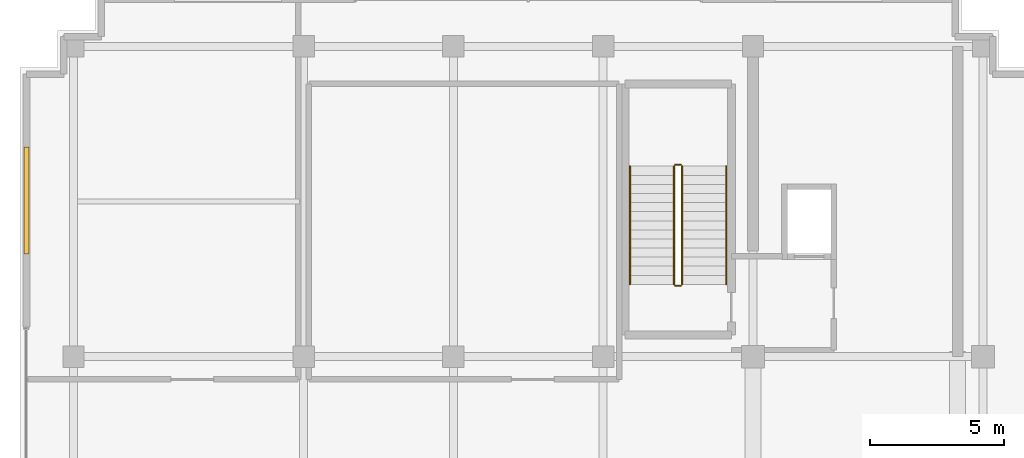
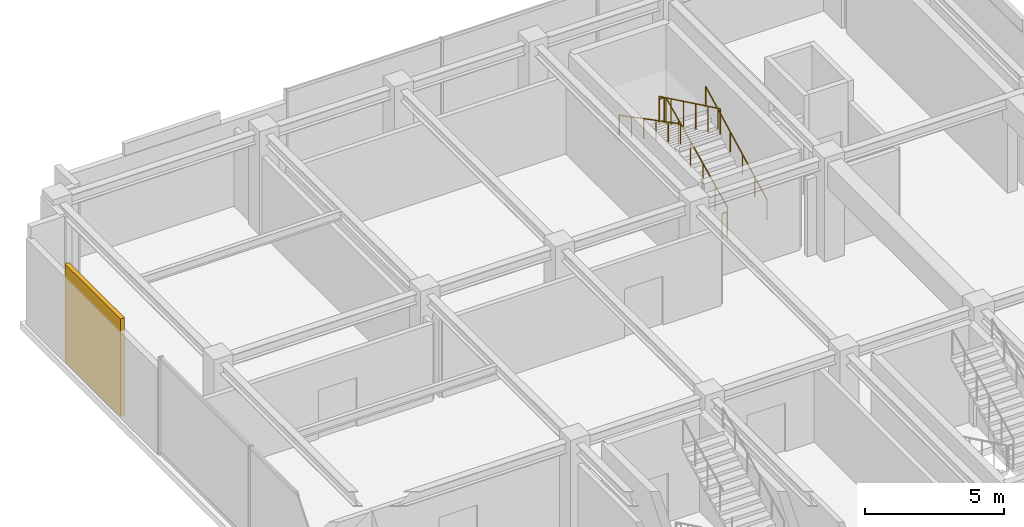
# One storey, part 17 of 18: 6 railings, 1 shading device.
"""IFC4 building model written with IfcOpenShell, lengths in metres."""

from ifc_helpers import new_model, si_unit, direction, frame, origin, origin_2d, place, context, subcontext, project, spatial, rectangle, circle, extrude, source, transform, mapped, material, layer, layer_set, type_object, element, save


model = new_model("IFC4")

# Units and contexts
model_context = context("Model", 3, precision=1e-05, world=origin(), true_north=direction((0.0, 1.0)))
body_context = subcontext(model_context, "Body", "Model", "MODEL_VIEW")
ifc_project = project(units=[si_unit("LENGTHUNIT", "METRE"), si_unit("AREAUNIT", "SQUARE_METRE"), si_unit("VOLUMEUNIT", "CUBIC_METRE"), si_unit("PLANEANGLEUNIT", "RADIAN"), si_unit("MASSUNIT", "GRAM", prefix="KILO")], contexts=[model_context])

# Site, building, storey
site_placement = place(None, origin())
site = spatial("IfcSite", under=ifc_project, at=site_placement, CompositionType="ELEMENT")
building_placement = place(site_placement, origin())
building = spatial("IfcBuilding", under=site, at=building_placement, Name="Nahalor Promenade Grand Hotel", CompositionType="ELEMENT")
storey_placement = place(building_placement, frame((0.0, 0.0, 361.64990234375)))
storey = spatial("IfcBuildingStorey", under=building, at=storey_placement, Name="L92", CompositionType="ELEMENT", Elevation=361.64990234375)

# Railings
ifc_material_1 = material(Name="Steel S355JR", Category="steel")
railing_type_1 = type_object("IfcRailingType", Name="Steel Stair Guardrail 1150 mm", PredefinedType="GUARDRAIL", material=ifc_material_1)
railing_1_placement = place(storey_placement, frame((5.75, 8.10009765625, 0.164306640625)))
element("IfcRailing", 1, at=railing_1_placement, inside=storey, type_object=railing_type_1, Name="L92 ST1 stair guard 1", PredefinedType="GUARDRAIL", context=body_context, shape_type="SweptSolid", body=[
    extrude(circle(Radius=0.024048, at=origin_2d()), frame((0.0, 0.0, 1.1259765625), z_axis=(0.0, 0.900393116817, 0.435077274962), x_axis=(-1.0, 0.0, 0.0)), (0.0, 0.0, 1.0), 4.908935546875),
    extrude(circle(Radius=0.020996, at=origin_2d()), origin(), (0.0, 0.0, 1.0), 1.099853515625),
    extrude(circle(Radius=0.020996, at=origin_2d()), frame((0.0, 0.884033203125, 0.42724609375)), (0.0, 0.0, 1.0), 1.099853515625),
    extrude(circle(Radius=0.020996, at=origin_2d()), frame((0.0, 1.76806640625, 0.854248046875)), (0.0, 0.0, 1.0), 1.099853515625),
    extrude(circle(Radius=0.020996, at=origin_2d()), frame((0.0, 2.65185546875, 1.281494140625)), (0.0, 0.0, 1.0), 1.099853515625),
    extrude(circle(Radius=0.020996, at=origin_2d()), frame((0.0, 3.535888671875, 1.70849609375)), (0.0, 0.0, 1.0), 1.099853515625),
    extrude(circle(Radius=0.020996, at=origin_2d()), frame((0.0, 4.419921875, 2.1357421875)), (0.0, 0.0, 1.0), 1.099853515625),
])
railing_2_placement = place(storey_placement, frame((5.699951171875, 12.570068359375, 2.300048828125)))
element("IfcRailing", 2, at=railing_2_placement, inside=storey, type_object=railing_type_1, Name="L92 ST1 stair guard 2", PredefinedType="GUARDRAIL", context=body_context, shape_type="SweptSolid", body=[
    extrude(circle(Radius=0.024048, at=origin_2d()), frame((0.0, 0.0, 1.1259765625), z_axis=(-1.0, 0.0, 0.0), x_axis=(0.0, -1.0, 0.0)), (0.0, 0.0, 1.0), 0.199951171875),
    extrude(circle(Radius=0.020996, at=origin_2d()), origin(), (0.0, 0.0, 1.0), 1.099853515625),
    extrude(circle(Radius=0.020996, at=origin_2d()), frame((-0.199951171875, 0.0, 0.0)), (0.0, 0.0, 1.0), 1.099853515625),
])
railing_3_placement = place(storey_placement, frame((5.449951171875, 12.52001953125, 2.46435546875)))
element("IfcRailing", 3, at=railing_3_placement, inside=storey, type_object=railing_type_1, Name="L92 ST1 stair guard 3", PredefinedType="GUARDRAIL", context=body_context, shape_type="SweptSolid", body=[
    extrude(circle(Radius=0.024048, at=origin_2d()), frame((0.0, 0.0, 1.1259765625), z_axis=(0.0, -0.900393116817, 0.435077274962), x_axis=(1.0, 0.0, 0.0)), (0.0, 0.0, 1.0), 4.908935546875),
    extrude(circle(Radius=0.020996, at=origin_2d()), origin(), (0.0, 0.0, 1.0), 1.099853515625),
    extrude(circle(Radius=0.020996, at=origin_2d()), frame((0.0, -0.884033203125, 0.42724609375)), (0.0, 0.0, 1.0), 1.099853515625),
    extrude(circle(Radius=0.020996, at=origin_2d()), frame((0.0, -1.76806640625, 0.854248046875)), (0.0, 0.0, 1.0), 1.099853515625),
    extrude(circle(Radius=0.020996, at=origin_2d()), frame((0.0, -2.65185546875, 1.281494140625)), (0.0, 0.0, 1.0), 1.099853515625),
    extrude(circle(Radius=0.020996, at=origin_2d()), frame((0.0, -3.535888671875, 1.70849609375)), (0.0, 0.0, 1.0), 1.099853515625),
    extrude(circle(Radius=0.020996, at=origin_2d()), frame((0.0, -4.419921875, 2.1357421875)), (0.0, 0.0, 1.0), 1.099853515625),
])
railing_4_placement = place(storey_placement, frame((5.699951171875, 8.050048828125, 0.0)))
element("IfcRailing", 4, at=railing_4_placement, inside=storey, type_object=railing_type_1, Name="L92 ST1 stair guard 4", PredefinedType="GUARDRAIL", context=body_context, shape_type="SweptSolid", body=[
    extrude(circle(Radius=0.024048, at=origin_2d()), frame((0.0, 0.0, 1.1259765625), z_axis=(-1.0, 0.0, 0.0), x_axis=(0.0, -1.0, 0.0)), (0.0, 0.0, 1.0), 0.199951171875),
    extrude(circle(Radius=0.020996, at=origin_2d()), origin(), (0.0, 0.0, 1.0), 1.099853515625),
    extrude(circle(Radius=0.020996, at=origin_2d()), frame((-0.199951171875, 0.0, 0.0)), (0.0, 0.0, 1.0), 1.099853515625),
])
railing_type_2 = type_object("IfcRailingType", Name="Steel Stair Handrail 900 mm", PredefinedType="HANDRAIL", material=ifc_material_1)
railing_5_placement = place(storey_placement, frame((7.39990234375, 8.10009765625, 0.164306640625)))
element("IfcRailing", 5, at=railing_5_placement, inside=storey, type_object=railing_type_2, Name="L92 ST1 stair handrail 1", PredefinedType="HANDRAIL", context=body_context, shape_type="SweptSolid", body=[
    extrude(circle(Radius=0.024048, at=origin_2d()), frame((0.0, 0.0, 0.8759765625), z_axis=(0.0, 0.887077971717, 0.461619618402), x_axis=(-1.0, 0.0, 0.0)), (0.0, 0.0, 1.0), 4.982666015625),
    extrude(circle(Radius=0.020996, at=origin_2d()), origin(), (0.0, 0.0, 1.0), 0.849853515625),
    extrude(circle(Radius=0.020996, at=origin_2d()), frame((0.0, 0.884033203125, 0.4599609375)), (0.0, 0.0, 1.0), 0.849853515625),
    extrude(circle(Radius=0.020996, at=origin_2d()), frame((0.0, 1.76806640625, 0.919921875)), (0.0, 0.0, 1.0), 0.849853515625),
    extrude(circle(Radius=0.020996, at=origin_2d()), frame((0.0, 2.65185546875, 1.380126953125)), (0.0, 0.0, 1.0), 0.849853515625),
    extrude(circle(Radius=0.020996, at=origin_2d()), frame((0.0, 3.535888671875, 1.840087890625)), (0.0, 0.0, 1.0), 0.849853515625),
    extrude(circle(Radius=0.020996, at=origin_2d()), frame((0.0, 4.419921875, 2.300048828125)), (0.0, 0.0, 1.0), 0.849853515625),
])
railing_6_placement = place(storey_placement, frame((3.800048828125, 12.52001953125, 2.46435546875)))
element("IfcRailing", 6, at=railing_6_placement, inside=storey, type_object=railing_type_2, Name="L92 ST1 stair handrail 2", PredefinedType="HANDRAIL", context=body_context, shape_type="SweptSolid", body=[
    extrude(circle(Radius=0.024048, at=origin_2d()), frame((0.0, 0.0, 0.8759765625), z_axis=(0.0, -0.887077971717, 0.461619618402), x_axis=(1.0, 0.0, 0.0)), (0.0, 0.0, 1.0), 4.982666015625),
    extrude(circle(Radius=0.020996, at=origin_2d()), origin(), (0.0, 0.0, 1.0), 0.849853515625),
    extrude(circle(Radius=0.020996, at=origin_2d()), frame((0.0, -0.884033203125, 0.4599609375)), (0.0, 0.0, 1.0), 0.849853515625),
    extrude(circle(Radius=0.020996, at=origin_2d()), frame((0.0, -1.76806640625, 0.919921875)), (0.0, 0.0, 1.0), 0.849853515625),
    extrude(circle(Radius=0.020996, at=origin_2d()), frame((0.0, -2.65185546875, 1.380126953125)), (0.0, 0.0, 1.0), 0.849853515625),
    extrude(circle(Radius=0.020996, at=origin_2d()), frame((0.0, -3.535888671875, 1.840087890625)), (0.0, 0.0, 1.0), 0.849853515625),
    extrude(circle(Radius=0.020996, at=origin_2d()), frame((0.0, -4.419921875, 2.300048828125)), (0.0, 0.0, 1.0), 0.849853515625),
])

# Shading device
ifc_material_2 = material(Name="Anodised Bronze Aluminium EN AW-6063 T6", Category="aluminium")
ifc_layer = layer(ifc_material_2, 0.179931640625)
ifc_layer_set = layer_set([ifc_layer], Name="Anodised Bronze Aluminium EN AW-6063 T6")
shading_device_type = type_object("IfcShadingDeviceType", Name="Shade-PlantLouvre-Bronze", PredefinedType="USERDEFINED", material=ifc_layer_set)
shared_shape = source(origin(), body_context, "Body", "SweptSolid", [
    extrude(rectangle(XDim=4.0, YDim=0.179931640625, at=origin_2d()), origin(), (0.0, 0.0, 1.0), 4.300048828125),
])
shading_device_placement = place(storey_placement, frame((-18.760009765625, 11.22998046875, 0.0), z_axis=(0.0, 0.0, 1.0), x_axis=(0.0, 1.0, 0.0)))
element("IfcShadingDevice", 7, at=shading_device_placement, inside=storey, type_object=shading_device_type, Name="LV-L92-WR", ObjectType="LOUVRE", PredefinedType="USERDEFINED", context=body_context, shape_type="MappedRepresentation", body=[
    mapped(shared_shape, transform((0.0, 0.0, 0.0), scale=1.0)),
])

save(model, "model.ifc")
